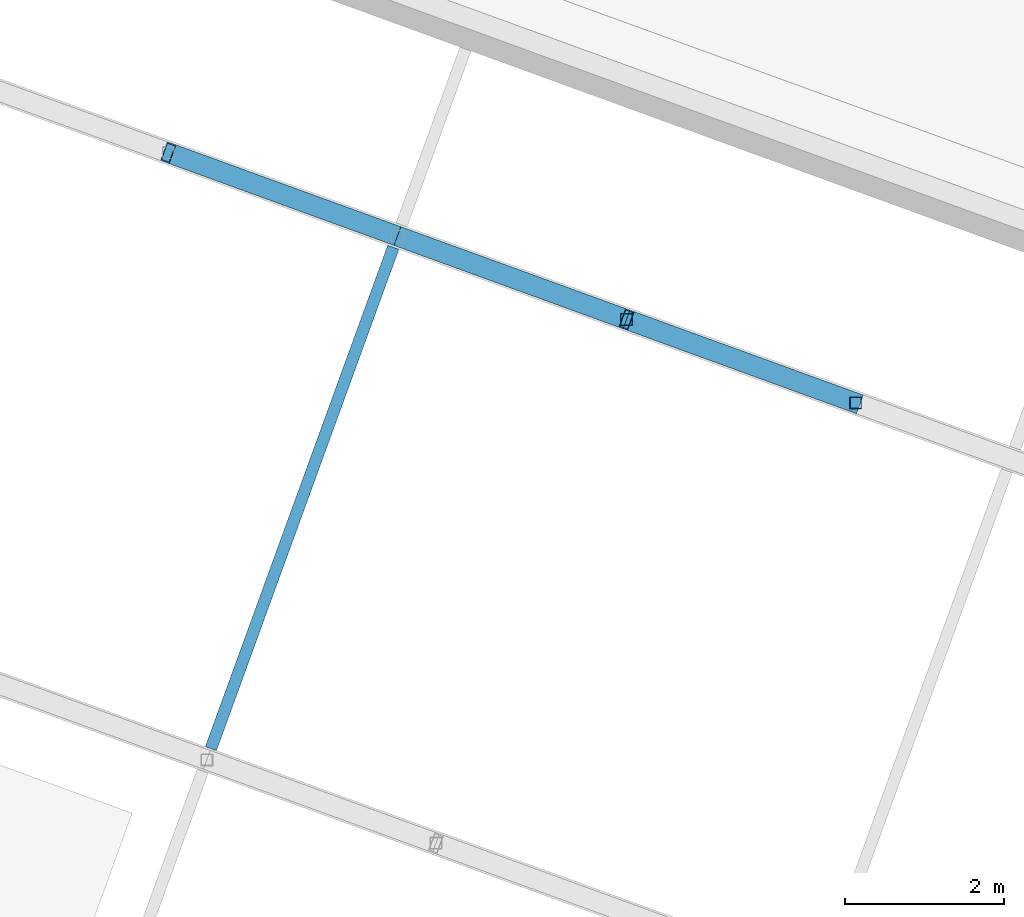
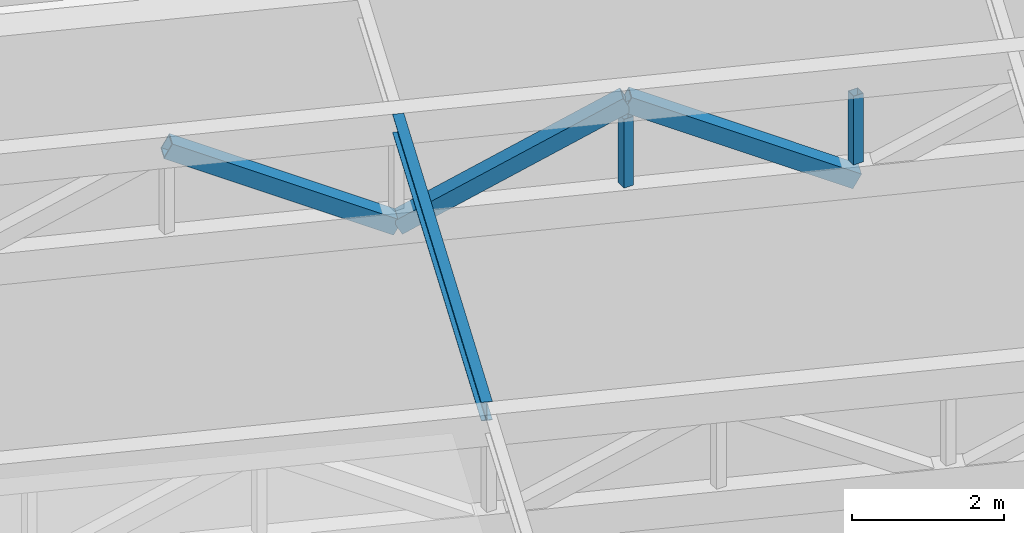
# One storey, part 41 of 72: 6 members.
"""IFC4 building model written with IfcOpenShell, lengths in metres."""

from ifc_helpers import new_model, si_unit, direction, frame, origin, origin_2d, place, context, subcontext, project, spatial, hollow_rectangle, i_section, extrude, material, material_profile, profile_set, type_object, element, save


model = new_model("IFC4")

# Units and contexts
model_context = context("Model", 3, precision=1e-05, world=origin(), true_north=direction((0.0, 1.0)))
body_context = subcontext(model_context, "Body", "Model", "MODEL_VIEW")
ifc_project = project(units=[si_unit("LENGTHUNIT", "METRE"), si_unit("AREAUNIT", "SQUARE_METRE"), si_unit("VOLUMEUNIT", "CUBIC_METRE"), si_unit("PLANEANGLEUNIT", "RADIAN"), si_unit("MASSUNIT", "GRAM", prefix="KILO")], contexts=[model_context])

# Site, building, storey
site_placement = place(None, origin())
site = spatial("IfcSite", under=ifc_project, at=site_placement, CompositionType="ELEMENT")
building_placement = place(site_placement, origin())
building = spatial("IfcBuilding", under=site, at=building_placement, Name="Nzadi Deep Aquarium and Research Tower", CompositionType="ELEMENT")
storey_placement = place(building_placement, frame((0.0, 0.0, 31.89990234375)))
storey = spatial("IfcBuildingStorey", under=building, at=storey_placement, Name="L05", CompositionType="ELEMENT", Elevation=31.89990234375)

# Members
ifc_material_1 = material(Name="Steel S355", Category="steel")
ifc_material_profile_1 = material_profile(ifc_material_1, i_section(OverallWidth=0.14990234375, OverallDepth=0.300048828125, WebThickness=0.007080078125, FlangeThickness=0.0107421875, FilletRadius=0.014892578125, at=origin_2d()))
ifc_profile_set_1 = profile_set([ifc_material_profile_1], Name="Steel S355")
member_type_1 = type_object("IfcMemberType", Name="IPE 300", PredefinedType="PURLIN", material=ifc_profile_set_1)
member_1_placement = place(storey_placement, frame((31.58740234375, 77.8583984375, 13.650146484375), z_axis=(0.342006360223, 0.93969763731, 0.0), x_axis=(-0.93969763731, 0.342006360223, 0.0)))
element("IfcMember", 1, at=member_1_placement, inside=storey, type_object=member_type_1, Name="MB-PR-R2-PU2-2", PredefinedType="PURLIN", context=body_context, shape_type="SweptSolid", body=[
    extrude(i_section(OverallWidth=0.14990234375, OverallDepth=0.300048828125, WebThickness=0.007080078125, FlangeThickness=0.0107421875, FilletRadius=0.014892578125, at=origin_2d()), origin(), (0.0, 0.0, 1.0), 6.7001953125),
])
ifc_material_2 = material(Name="Steel S355", Category="steel")
ifc_material_profile_2 = material_profile(ifc_material_2, hollow_rectangle(XDim=0.14990234375, YDim=0.14990234375, WallThickness=0.008056640625, at=origin_2d()))
ifc_profile_set_2 = profile_set([ifc_material_profile_2], Name="Steel S355")
member_type_2 = type_object("IfcMemberType", Name="RHS 150x150x8 post 2", PredefinedType="POST", material=ifc_profile_set_2)
for number, where, z_axis, x_axis, name in (
    (2, (36.80810546875, 83.248046875, 12.2001953125), (0.0, 0.0, 1.0), (1.0, 0.0, 0.0), "MB-PR-R2-T3-V5"),
    (3, (39.68603515625, 82.200439453125, 12.2001953125), (0.0, 0.0, 1.0), (1.0, 0.0, 0.0), "MB-PR-R2-T3-V6"),
):
    element("IfcMember", number, at=place(storey_placement, frame(where, z_axis=z_axis, x_axis=x_axis)), inside=storey, type_object=member_type_2, Name=name, PredefinedType="POST", context=body_context, shape_type="SweptSolid", body=[
        extrude(hollow_rectangle(XDim=0.14990234375, YDim=0.14990234375, WallThickness=0.008056640625, at=origin_2d()), origin(), (0.0, 0.0, 1.0), 1.099853515625),
    ])
ifc_material_3 = material(Name="Steel S355", Category="steel")
ifc_material_profile_3 = material_profile(ifc_material_3, hollow_rectangle(XDim=0.25, YDim=0.25, WallThickness=0.01611328125, at=origin_2d()))
ifc_profile_set_3 = profile_set([ifc_material_profile_3], Name="Steel S355")
member_type_3 = type_object("IfcMemberType", Name="RHS 250x250x16 brace", PredefinedType="BRACE", material=ifc_profile_set_3)
member_2_placement = place(storey_placement, frame((31.052490234375, 85.3427734375, 13.550048828125), z_axis=(0.832907091186, -0.3031193944, -0.463016641376), x_axis=(0.341986276019, 0.939704946786, 0.0)))
element("IfcMember", 4, at=member_2_placement, inside=storey, type_object=member_type_3, Name="MB-PR-R2-T3-D4", PredefinedType="BRACE", context=body_context, shape_type="SweptSolid", body=[
    extrude(hollow_rectangle(XDim=0.25, YDim=0.25, WallThickness=0.01611328125, at=origin_2d()), origin(), (0.0, 0.0, 1.0), 3.455322265625),
])
member_3_placement = place(storey_placement, frame((33.930419921875, 84.29541015625, 11.9501953125), z_axis=(0.832885449393, -0.303137234062, 0.463043891564), x_axis=(0.342011896186, 0.939695622458, 0.0)))
element("IfcMember", 5, at=member_3_placement, inside=storey, type_object=member_type_3, Name="MB-PR-R2-T3-D5", PredefinedType="BRACE", context=body_context, shape_type="SweptSolid", body=[
    extrude(hollow_rectangle(XDim=0.25, YDim=0.25, WallThickness=0.01611328125, at=origin_2d()), origin(), (0.0, 0.0, 1.0), 3.455078125),
])
member_4_placement = place(storey_placement, frame((36.80810546875, 83.248046875, 13.550048828125), z_axis=(0.832889250835, -0.30318355746, -0.463006723848), x_axis=(0.342056666941, 0.939679326473, 0.0)))
element("IfcMember", 6, at=member_4_placement, inside=storey, type_object=member_type_3, Name="MB-PR-R2-T3-D6", PredefinedType="BRACE", context=body_context, shape_type="SweptSolid", body=[
    extrude(hollow_rectangle(XDim=0.25, YDim=0.25, WallThickness=0.01611328125, at=origin_2d()), origin(), (0.0, 0.0, 1.0), 3.455322265625),
])

save(model, "model.ifc")
